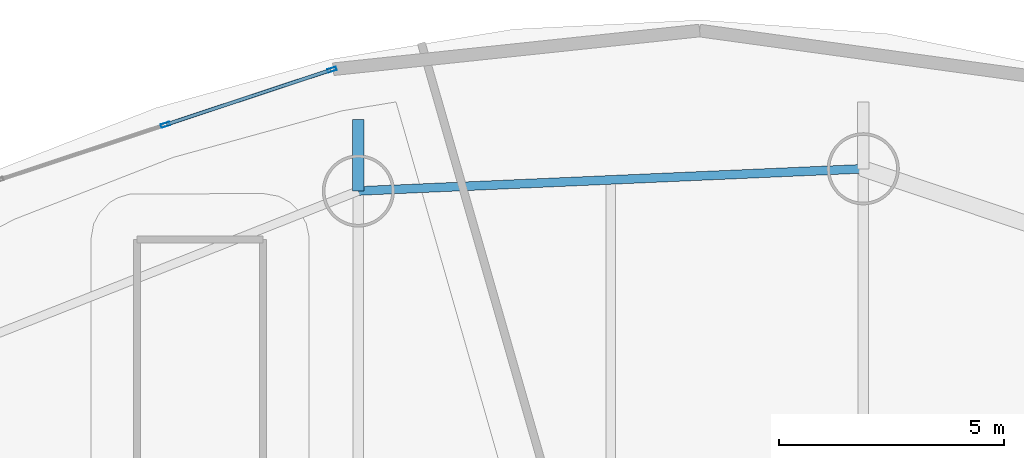
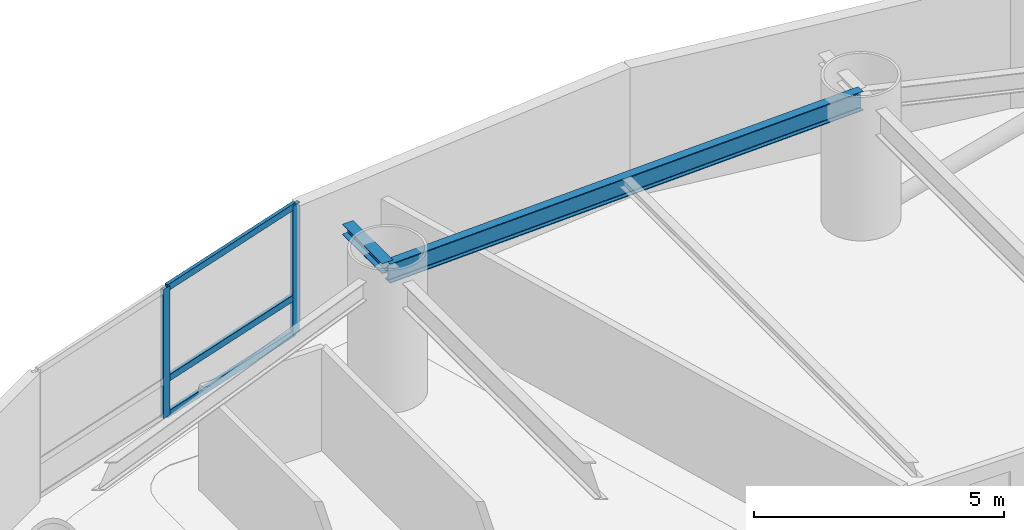
# One storey, part 14 of 25: 5 members, 2 beams, 1 element without a shape of its own.
"""IFC4 building model written with IfcOpenShell, lengths in metres."""

from ifc_helpers import new_model, si_unit, direction, frame, origin, origin_2d, place, context, subcontext, project, spatial, hollow_rectangle, i_section, extrude, material, layer, layer_set, material_profile, profile_set, type_object, element, aggregate, save


model = new_model("IFC4")

# Units and contexts
model_context = context("Model", 3, precision=1e-05, world=origin(), true_north=direction((0.0, 1.0)))
body_context = subcontext(model_context, "Body", "Model", "MODEL_VIEW")
ifc_project = project(units=[si_unit("LENGTHUNIT", "METRE"), si_unit("AREAUNIT", "SQUARE_METRE"), si_unit("VOLUMEUNIT", "CUBIC_METRE"), si_unit("PLANEANGLEUNIT", "RADIAN"), si_unit("MASSUNIT", "GRAM", prefix="KILO")], contexts=[model_context])

# Site, building, storey
site_placement = place(None, origin())
site = spatial("IfcSite", under=ifc_project, at=site_placement, CompositionType="ELEMENT")
building_placement = place(site_placement, origin())
building = spatial("IfcBuilding", under=site, at=building_placement, Name="Bramvorn Convention Spire", CompositionType="ELEMENT")
storey_placement = place(building_placement, frame((0.0, 0.0, 93.89990234375)))
storey = spatial("IfcBuildingStorey", under=building, at=storey_placement, Name="L22", CompositionType="ELEMENT", Elevation=93.89990234375)

# Beams
ifc_material_1 = material(Name="Steel CSA G40.21 Grade 350 (350W)", Category="steel")
ifc_material_profile_1 = material_profile(ifc_material_1, i_section(OverallWidth=0.25390625, OverallDepth=0.2529296875, WebThickness=0.008544921875, FlangeThickness=0.01416015625, FilletRadius=0.011962890625, at=origin_2d()))
ifc_profile_set_1 = profile_set([ifc_material_profile_1], Name="Steel CSA G40.21 Grade 350 (350W) - W250X73")
beam_type_1 = type_object("IfcBeamType", Name="BM-W250X73", PredefinedType="BEAM", material=ifc_profile_set_1)
beam_1_placement = place(storey_placement, frame((29.76220703125, 46.57666015625, 3.023681640625), z_axis=(0.0, 1.0, 0.0), x_axis=(-1.0, 0.0, 0.0)))
element("IfcBeam", 1, at=beam_1_placement, inside=storey, type_object=beam_type_1, Name="L22 slab-edge cantilever tip beam MC06", PredefinedType="BEAM", context=body_context, shape_type="SweptSolid", body=[
    extrude(i_section(OverallWidth=0.25390625, OverallDepth=0.2529296875, WebThickness=0.008544921875, FlangeThickness=0.01416015625, FilletRadius=0.011962890625, at=origin_2d()), origin(), (0.0, 0.0, 1.0), 1.587890625),
])
ifc_material_profile_2 = material_profile(ifc_material_1, i_section(OverallWidth=0.194091796875, OverallDepth=0.468994140625, WebThickness=0.0126953125, FlangeThickness=0.0205078125, FilletRadius=0.01806640625, at=origin_2d()))
ifc_profile_set_2 = profile_set([ifc_material_profile_2], Name="Steel CSA G40.21 Grade 350 (350W) - W460X106")
beam_type_2 = type_object("IfcBeamType", Name="BM-W460X106", PredefinedType="SPANDREL", material=ifc_profile_set_2)
beam_2_placement = place(storey_placement, frame((40.9609375, 47.06884765625, 2.91552734375), z_axis=(-0.999035582762, -0.043907907889, 0.0), x_axis=(0.043907907889, -0.999035582762, 0.0)))
element("IfcBeam", 2, at=beam_2_placement, inside=storey, type_object=beam_type_2, Name="L22 mega-column ring beam 05", PredefinedType="SPANDREL", context=body_context, shape_type="SweptSolid", body=[
    extrude(i_section(OverallWidth=0.194091796875, OverallDepth=0.468994140625, WebThickness=0.0126953125, FlangeThickness=0.0205078125, FilletRadius=0.01806640625, at=origin_2d()), origin(), (0.0, 0.0, 1.0), 11.20947265625),
])

# Curtain wall, members
ifc_material_2 = material(Name="Anodised Bronze Unitised Curtain Wall", Category="aluminium")
ifc_layer = layer(ifc_material_2, 0.179931640625)
ifc_layer_set = layer_set([ifc_layer], Name="Anodised Bronze Unitised Curtain Wall - CW-HTL-FRIT")
curtain_wall_type = type_object("IfcCurtainWallType", Name="CW-HTL-FRIT", PredefinedType="USERDEFINED", material=ifc_layer_set)
curtain_wall_placement = place(storey_placement, origin())
curtain_wall = element("IfcCurtainWall", 3, at=curtain_wall_placement, inside=storey, type_object=curtain_wall_type, Name="L22 fritted glass curtain wall 09", ObjectType="UNITISED CURTAIN WALL", PredefinedType="USERDEFINED")
ifc_material_3 = material(Name="Anodised Bronze Aluminium 6063-T6", Category="aluminium")
ifc_material_profile_3 = material_profile(ifc_material_3, hollow_rectangle(XDim=0.080078125, YDim=0.199951171875, WallThickness=0.00390625, InnerFilletRadius=0.0009765625, OuterFilletRadius=0.00390625, at=origin_2d()))
ifc_profile_set_3 = profile_set([ifc_material_profile_3], Name="Anodised Bronze Aluminium 6063-T6 - CWM80X200")
member_type_1 = type_object("IfcMemberType", Name="CW-MUL-180", PredefinedType="MULLION", material=ifc_profile_set_3)
member_1_placement = place(storey_placement, frame((25.481689453125, 48.04443359375, 0.0), z_axis=(0.0, 0.0, 1.0), x_axis=(-0.314280612877, 0.949330130339, 0.0)))
member_1 = element("IfcMember", 4, at=member_1_placement, type_object=member_type_1, Name="CW2 mullion 2", PredefinedType="MULLION", context=body_context, shape_type="SweptSolid", body=[
    extrude(hollow_rectangle(XDim=0.080078125, YDim=0.199951171875, WallThickness=0.00390625, InnerFilletRadius=0.0009765625, OuterFilletRadius=0.00390625, at=origin_2d()), origin(), (0.0, 0.0, 1.0), 3.150146484375),
])
member_2_placement = place(storey_placement, frame((29.1767578125, 49.267578125, 0.0), z_axis=(0.0, 0.0, 1.0), x_axis=(-0.314280612877, 0.949330130339, 0.0)))
member_2 = element("IfcMember", 5, at=member_2_placement, type_object=member_type_1, Name="CW2 mullion 3", PredefinedType="MULLION", context=body_context, shape_type="SweptSolid", body=[
    extrude(hollow_rectangle(XDim=0.080078125, YDim=0.199951171875, WallThickness=0.00390625, InnerFilletRadius=0.0009765625, OuterFilletRadius=0.00390625, at=origin_2d()), origin(), (0.0, 0.0, 1.0), 3.150146484375),
])
ifc_material_profile_4 = material_profile(ifc_material_3, hollow_rectangle(XDim=0.080078125, YDim=0.159912109375, WallThickness=0.00390625, InnerFilletRadius=0.0009765625, OuterFilletRadius=0.00390625, at=origin_2d()))
ifc_profile_set_4 = profile_set([ifc_material_profile_4], Name="Anodised Bronze Aluminium 6063-T6 - CWT80X160")
member_type_2 = type_object("IfcMemberType", Name="CW-TRN-150", PredefinedType="USERDEFINED", material=ifc_profile_set_4)
member_3_placement = place(storey_placement, frame((25.510009765625, 48.0537109375, 0.030029296875), z_axis=(0.94932470706, 0.314296994205, 0.0), x_axis=(-0.314296994205, 0.94932470706, 0.0)))
member_3 = element("IfcMember", 6, at=member_3_placement, type_object=member_type_2, Name="CW2 transom 2.1", ObjectType="TRANSOM", PredefinedType="USERDEFINED", context=body_context, shape_type="SweptSolid", body=[
    extrude(hollow_rectangle(XDim=0.080078125, YDim=0.159912109375, WallThickness=0.00390625, InnerFilletRadius=0.0009765625, OuterFilletRadius=0.00390625, at=origin_2d()), origin(), (0.0, 0.0, 1.0), 3.832763671875),
])
member_4_placement = place(storey_placement, frame((25.510009765625, 48.0537109375, 0.900146484375), z_axis=(0.94932470706, 0.314296994205, 0.0), x_axis=(-0.314296994205, 0.94932470706, 0.0)))
member_4 = element("IfcMember", 7, at=member_4_placement, type_object=member_type_2, Name="CW2 transom 2.2", ObjectType="TRANSOM", PredefinedType="USERDEFINED", context=body_context, shape_type="SweptSolid", body=[
    extrude(hollow_rectangle(XDim=0.080078125, YDim=0.159912109375, WallThickness=0.00390625, InnerFilletRadius=0.0009765625, OuterFilletRadius=0.00390625, at=origin_2d()), origin(), (0.0, 0.0, 1.0), 3.832763671875),
])
member_5_placement = place(storey_placement, frame((25.510009765625, 48.0537109375, 3.1201171875), z_axis=(0.94932470706, 0.314296994205, 0.0), x_axis=(-0.314296994205, 0.94932470706, 0.0)))
member_5 = element("IfcMember", 8, at=member_5_placement, type_object=member_type_2, Name="CW2 transom 2.3", ObjectType="TRANSOM", PredefinedType="USERDEFINED", context=body_context, shape_type="SweptSolid", body=[
    extrude(hollow_rectangle(XDim=0.080078125, YDim=0.159912109375, WallThickness=0.00390625, InnerFilletRadius=0.0009765625, OuterFilletRadius=0.00390625, at=origin_2d()), origin(), (0.0, 0.0, 1.0), 3.832763671875),
])
aggregate(curtain_wall, [member_1, member_2, member_3, member_4, member_5])

save(model, "model.ifc")
